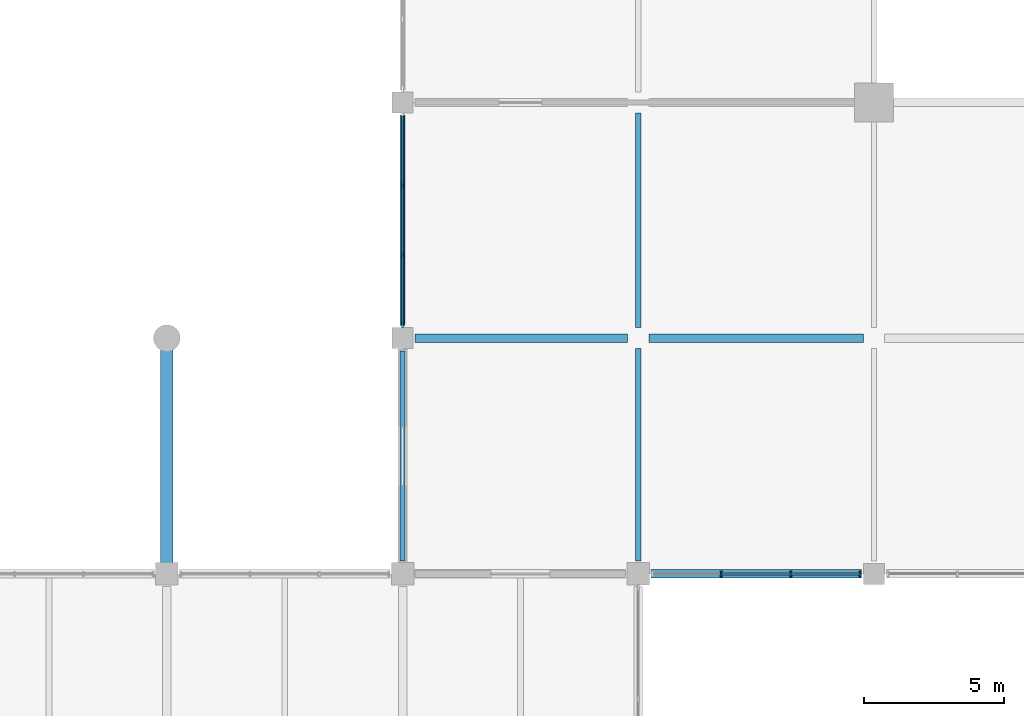
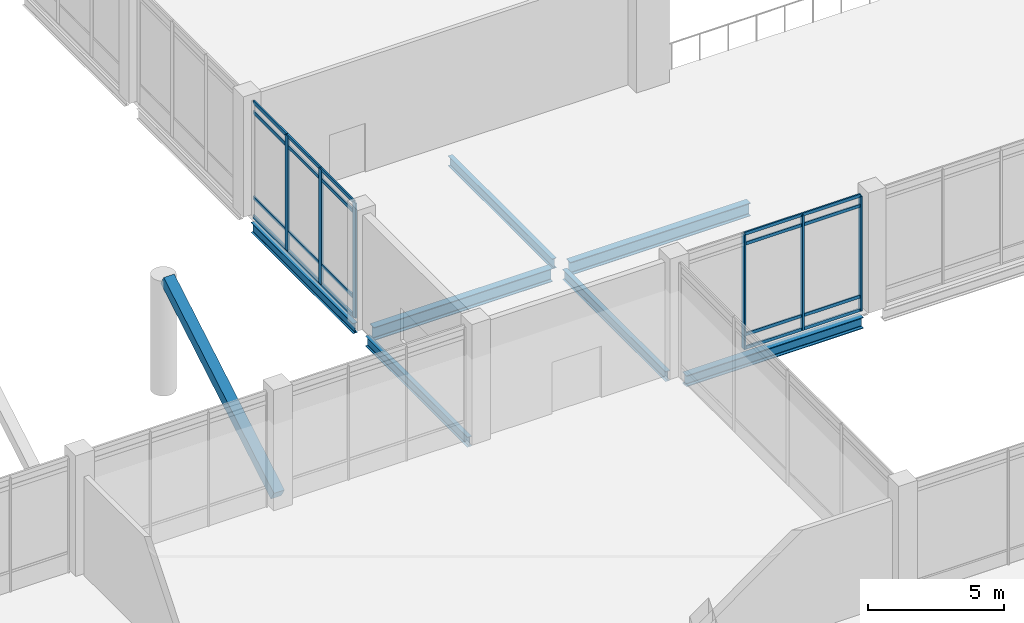
# One storey, part 24 of 72: 27 members, 7 beams, 2 elements without a shape of their own.
"""IFC4 building model written with IfcOpenShell, lengths in metres."""

from ifc_helpers import new_model, si_unit, direction, frame, origin, origin_2d, place, context, subcontext, project, spatial, rectangle, i_section, extrude, material, layer, layer_set, material_profile, profile_set, type_object, element, aggregate, save


model = new_model("IFC4")

# Units and contexts
model_context = context("Model", 3, precision=1e-05, world=origin(), true_north=direction((0.0, 1.0)))
body_context = subcontext(model_context, "Body", "Model", "MODEL_VIEW")
ifc_project = project(units=[si_unit("LENGTHUNIT", "METRE"), si_unit("AREAUNIT", "SQUARE_METRE"), si_unit("VOLUMEUNIT", "CUBIC_METRE"), si_unit("PLANEANGLEUNIT", "RADIAN"), si_unit("MASSUNIT", "GRAM", prefix="KILO")], contexts=[model_context])

# Site, building, storey
site_placement = place(None, origin())
site = spatial("IfcSite", under=ifc_project, at=site_placement, CompositionType="ELEMENT")
building_placement = place(site_placement, origin())
building = spatial("IfcBuilding", under=site, at=building_placement, Name="Qawsi Khor Wholesale Market", CompositionType="ELEMENT")
storey_placement = place(building_placement, frame((0.0, 0.0, 6.0)))
storey = spatial("IfcBuildingStorey", under=building, at=storey_placement, Name="L01", CompositionType="ELEMENT", Elevation=6.0)

# Curtain wall, members
ifc_material_1 = material(Name="Aluminium Anodised Bronze", Category="aluminium")
ifc_layer_1 = layer(ifc_material_1, 0.179931640625, Name="Aluminium Anodised Bronze")
ifc_layer_set_1 = layer_set([ifc_layer_1], Name="Aluminium Anodised Bronze")
curtain_wall_type_1 = type_object("IfcCurtainWallType", Name="Atrium Full-Height Curtain Wall CW-02", PredefinedType="NOTDEFINED", material=ifc_layer_set_1)
curtain_wall_1_placement = place(storey_placement, origin())
curtain_wall_1 = element("IfcCurtainWall", 1, at=curtain_wall_1_placement, inside=storey, type_object=curtain_wall_type_1, Name="Curtain wall CW-CW-02-L01-037", PredefinedType="NOTDEFINED")
ifc_material_profile_1 = material_profile(ifc_material_1, rectangle(XDim=0.070068359375, YDim=0.199951171875, at=origin_2d()), Name="ALU MULLION 70x200")
ifc_profile_set_1 = profile_set([ifc_material_profile_1], Name="Aluminium Anodised Bronze")
member_type_1 = type_object("IfcMemberType", Name="Curtain Wall Mullion CW-02 ALU MULLION 70x200", PredefinedType="MULLION", material=ifc_profile_set_1)
member_1_placement = place(storey_placement, frame((154.1650390625, 42.0, -0.02001953125), z_axis=(0.0, 0.0, 1.0), x_axis=(1.0, 0.0, 0.0)))
member_1 = element("IfcMember", 2, at=member_1_placement, type_object=member_type_1, Name="Mullion CW-CW-02-L01-037-M01", PredefinedType="MULLION", context=body_context, shape_type="SweptSolid", body=[
    extrude(rectangle(XDim=0.070068359375, YDim=0.199951171875, at=origin_2d()), origin(), (0.0, 0.0, 1.0), 5.14013671875),
])
member_2_placement = place(storey_placement, frame((156.635009765625, 42.0, -0.02001953125), z_axis=(0.0, 0.0, 1.0), x_axis=(1.0, 0.0, 0.0)))
member_2 = element("IfcMember", 3, at=member_2_placement, type_object=member_type_1, Name="Mullion CW-CW-02-L01-037-M02", PredefinedType="MULLION", context=body_context, shape_type="SweptSolid", body=[
    extrude(rectangle(XDim=0.070068359375, YDim=0.199951171875, at=origin_2d()), origin(), (0.0, 0.0, 1.0), 5.14013671875),
])
member_3_placement = place(storey_placement, frame((159.10498046875, 42.0, -0.02001953125), z_axis=(0.0, 0.0, 1.0), x_axis=(1.0, 0.0, 0.0)))
member_3 = element("IfcMember", 4, at=member_3_placement, type_object=member_type_1, Name="Mullion CW-CW-02-L01-037-M03", PredefinedType="MULLION", context=body_context, shape_type="SweptSolid", body=[
    extrude(rectangle(XDim=0.070068359375, YDim=0.199951171875, at=origin_2d()), origin(), (0.0, 0.0, 1.0), 5.14013671875),
])

ifc_layer_2 = layer(ifc_material_1, 0.199951171875, Name="Aluminium Anodised Bronze")
ifc_layer_set_2 = layer_set([ifc_layer_2], Name="Aluminium Anodised Bronze")
curtain_wall_type_2 = type_object("IfcCurtainWallType", Name="Trading Hall North-Light Curtain Wall CW-03", PredefinedType="NOTDEFINED", material=ifc_layer_set_2)
curtain_wall_2_placement = place(storey_placement, origin())
curtain_wall_2 = element("IfcCurtainWall", 5, at=curtain_wall_2_placement, inside=storey, type_object=curtain_wall_type_2, Name="Curtain wall CW-CW-03-L01-076", PredefinedType="NOTDEFINED")
ifc_material_profile_2 = material_profile(ifc_material_1, rectangle(XDim=0.074951171875, YDim=0.219970703125, at=origin_2d()), Name="ALU MULLION 75x220")
ifc_profile_set_2 = profile_set([ifc_material_profile_2], Name="Aluminium Anodised Bronze")
member_type_2 = type_object("IfcMemberType", Name="Curtain Wall Mullion CW-03 ALU MULLION 75x220", PredefinedType="MULLION", material=ifc_profile_set_2)
member_4_placement = place(storey_placement, frame((142.800048828125, 50.8974609375, -0.02001953125), z_axis=(0.0, 0.0, 1.0), x_axis=(1.0, 0.0, 0.0)))
member_4 = element("IfcMember", 6, at=member_4_placement, type_object=member_type_2, Name="Mullion CW-CW-03-L01-076-M00", PredefinedType="MULLION", context=body_context, shape_type="SweptSolid", body=[
    extrude(rectangle(XDim=0.074951171875, YDim=0.219970703125, at=origin_2d()), origin(), (0.0, 0.0, 1.0), 5.14990234375),
])
member_5_placement = place(storey_placement, frame((142.800048828125, 53.36572265625, -0.02001953125), z_axis=(0.0, 0.0, 1.0), x_axis=(1.0, 0.0, 0.0)))
member_5 = element("IfcMember", 7, at=member_5_placement, type_object=member_type_2, Name="Mullion CW-CW-03-L01-076-M01", PredefinedType="MULLION", context=body_context, shape_type="SweptSolid", body=[
    extrude(rectangle(XDim=0.074951171875, YDim=0.219970703125, at=origin_2d()), origin(), (0.0, 0.0, 1.0), 5.14990234375),
])
member_6_placement = place(storey_placement, frame((142.800048828125, 55.834228515625, -0.02001953125), z_axis=(0.0, 0.0, 1.0), x_axis=(1.0, 0.0, 0.0)))
member_6 = element("IfcMember", 8, at=member_6_placement, type_object=member_type_2, Name="Mullion CW-CW-03-L01-076-M02", PredefinedType="MULLION", context=body_context, shape_type="SweptSolid", body=[
    extrude(rectangle(XDim=0.074951171875, YDim=0.219970703125, at=origin_2d()), origin(), (0.0, 0.0, 1.0), 5.14990234375),
])

# Member
ifc_material_profile_3 = material_profile(ifc_material_1, rectangle(XDim=0.06494140625, YDim=0.139892578125, at=origin_2d()), Name="ALU TRANSOM 65x140")
ifc_profile_set_3 = profile_set([ifc_material_profile_3], Name="Aluminium Anodised Bronze")
member_type_3 = type_object("IfcMemberType", Name="Curtain Wall Transom CW-02 ALU TRANSOM 65x140", PredefinedType="USERDEFINED", material=ifc_profile_set_3)
member_7_placement = place(storey_placement, frame((154.1650390625, 42.0, 0.0), z_axis=(1.0, 0.0, 0.0), x_axis=(0.0, 1.0, 0.0)))
member_7 = element("IfcMember", 9, at=member_7_placement, type_object=member_type_3, Name="Transom CW-CW-02-L01-037-T0_01", ObjectType="TRANSOM", PredefinedType="USERDEFINED", context=body_context, shape_type="SweptSolid", body=[
    extrude(rectangle(XDim=0.06494140625, YDim=0.139892578125, at=origin_2d()), origin(), (0.0, 0.0, 1.0), 2.469970703125),
])

member_8_placement = place(storey_placement, frame((156.635009765625, 42.0, 0.0), z_axis=(1.0, 0.0, 0.0), x_axis=(0.0, 1.0, 0.0)))
member_8 = element("IfcMember", 10, at=member_8_placement, type_object=member_type_3, Name="Transom CW-CW-02-L01-037-T0_02", ObjectType="TRANSOM", PredefinedType="USERDEFINED", context=body_context, shape_type="SweptSolid", body=[
    extrude(rectangle(XDim=0.06494140625, YDim=0.139892578125, at=origin_2d()), origin(), (0.0, 0.0, 1.0), 2.469970703125),
])

member_9_placement = place(storey_placement, frame((154.1650390625, 42.0, 0.60009765625), z_axis=(1.0, 0.0, 0.0), x_axis=(0.0, 1.0, 0.0)))
member_9 = element("IfcMember", 11, at=member_9_placement, type_object=member_type_3, Name="Transom CW-CW-02-L01-037-T1_01", ObjectType="TRANSOM", PredefinedType="USERDEFINED", context=body_context, shape_type="SweptSolid", body=[
    extrude(rectangle(XDim=0.06494140625, YDim=0.139892578125, at=origin_2d()), origin(), (0.0, 0.0, 1.0), 2.469970703125),
])

member_10_placement = place(storey_placement, frame((156.635009765625, 42.0, 0.60009765625), z_axis=(1.0, 0.0, 0.0), x_axis=(0.0, 1.0, 0.0)))
member_10 = element("IfcMember", 12, at=member_10_placement, type_object=member_type_3, Name="Transom CW-CW-02-L01-037-T1_02", ObjectType="TRANSOM", PredefinedType="USERDEFINED", context=body_context, shape_type="SweptSolid", body=[
    extrude(rectangle(XDim=0.06494140625, YDim=0.139892578125, at=origin_2d()), origin(), (0.0, 0.0, 1.0), 2.469970703125),
])

member_11_placement = place(storey_placement, frame((154.1650390625, 42.0, 4.669921875), z_axis=(1.0, 0.0, 0.0), x_axis=(0.0, 1.0, 0.0)))
member_11 = element("IfcMember", 13, at=member_11_placement, type_object=member_type_3, Name="Transom CW-CW-02-L01-037-T2_01", ObjectType="TRANSOM", PredefinedType="USERDEFINED", context=body_context, shape_type="SweptSolid", body=[
    extrude(rectangle(XDim=0.06494140625, YDim=0.139892578125, at=origin_2d()), origin(), (0.0, 0.0, 1.0), 2.469970703125),
])

member_12_placement = place(storey_placement, frame((156.635009765625, 42.0, 4.669921875), z_axis=(1.0, 0.0, 0.0), x_axis=(0.0, 1.0, 0.0)))
member_12 = element("IfcMember", 14, at=member_12_placement, type_object=member_type_3, Name="Transom CW-CW-02-L01-037-T2_02", ObjectType="TRANSOM", PredefinedType="USERDEFINED", context=body_context, shape_type="SweptSolid", body=[
    extrude(rectangle(XDim=0.06494140625, YDim=0.139892578125, at=origin_2d()), origin(), (0.0, 0.0, 1.0), 2.469970703125),
])

member_13_placement = place(storey_placement, frame((154.1650390625, 42.0, 5.1201171875), z_axis=(1.0, 0.0, 0.0), x_axis=(0.0, 1.0, 0.0)))
member_13 = element("IfcMember", 15, at=member_13_placement, type_object=member_type_3, Name="Transom CW-CW-02-L01-037-T3_01", ObjectType="TRANSOM", PredefinedType="USERDEFINED", context=body_context, shape_type="SweptSolid", body=[
    extrude(rectangle(XDim=0.06494140625, YDim=0.139892578125, at=origin_2d()), origin(), (0.0, 0.0, 1.0), 2.469970703125),
])

member_14_placement = place(storey_placement, frame((156.635009765625, 42.0, 5.1201171875), z_axis=(1.0, 0.0, 0.0), x_axis=(0.0, 1.0, 0.0)))
member_14 = element("IfcMember", 16, at=member_14_placement, type_object=member_type_3, Name="Transom CW-CW-02-L01-037-T3_02", ObjectType="TRANSOM", PredefinedType="USERDEFINED", context=body_context, shape_type="SweptSolid", body=[
    extrude(rectangle(XDim=0.06494140625, YDim=0.139892578125, at=origin_2d()), origin(), (0.0, 0.0, 1.0), 2.469970703125),
])

aggregate(curtain_wall_1, [member_1, member_2, member_3, member_7, member_8, member_9, member_10, member_11, member_12, member_13, member_14])

ifc_material_profile_4 = material_profile(ifc_material_1, rectangle(XDim=0.070068359375, YDim=0.14990234375, at=origin_2d()), Name="ALU TRANSOM 70x150")
ifc_profile_set_4 = profile_set([ifc_material_profile_4], Name="Aluminium Anodised Bronze")
member_type_4 = type_object("IfcMemberType", Name="Curtain Wall Transom CW-03 ALU TRANSOM 70x150", PredefinedType="USERDEFINED", material=ifc_profile_set_4)
member_15_placement = place(storey_placement, frame((142.800048828125, 50.8974609375, 0.0), z_axis=(0.0, 1.0, 0.0), x_axis=(-1.0, 0.0, 0.0)))
member_15 = element("IfcMember", 17, at=member_15_placement, type_object=member_type_4, Name="Transom CW-CW-03-L01-076-T0_00", ObjectType="TRANSOM", PredefinedType="USERDEFINED", context=body_context, shape_type="SweptSolid", body=[
    extrude(rectangle(XDim=0.070068359375, YDim=0.14990234375, at=origin_2d()), origin(), (0.0, 0.0, 1.0), 2.46826171875),
])

member_16_placement = place(storey_placement, frame((142.800048828125, 53.36572265625, 0.0), z_axis=(0.0, 1.0, 0.0), x_axis=(-1.0, 0.0, 0.0)))
member_16 = element("IfcMember", 18, at=member_16_placement, type_object=member_type_4, Name="Transom CW-CW-03-L01-076-T0_01", ObjectType="TRANSOM", PredefinedType="USERDEFINED", context=body_context, shape_type="SweptSolid", body=[
    extrude(rectangle(XDim=0.070068359375, YDim=0.14990234375, at=origin_2d()), origin(), (0.0, 0.0, 1.0), 2.468505859375),
])

member_17_placement = place(storey_placement, frame((142.800048828125, 55.834228515625, 0.0), z_axis=(0.0, 1.0, 0.0), x_axis=(-1.0, 0.0, 0.0)))
member_17 = element("IfcMember", 19, at=member_17_placement, type_object=member_type_4, Name="Transom CW-CW-03-L01-076-T0_02", ObjectType="TRANSOM", PredefinedType="USERDEFINED", context=body_context, shape_type="SweptSolid", body=[
    extrude(rectangle(XDim=0.070068359375, YDim=0.14990234375, at=origin_2d()), origin(), (0.0, 0.0, 1.0), 2.46826171875),
])

member_18_placement = place(storey_placement, frame((142.800048828125, 50.8974609375, 0.85009765625), z_axis=(0.0, 1.0, 0.0), x_axis=(-1.0, 0.0, 0.0)))
member_18 = element("IfcMember", 20, at=member_18_placement, type_object=member_type_4, Name="Transom CW-CW-03-L01-076-T1_00", ObjectType="TRANSOM", PredefinedType="USERDEFINED", context=body_context, shape_type="SweptSolid", body=[
    extrude(rectangle(XDim=0.070068359375, YDim=0.14990234375, at=origin_2d()), origin(), (0.0, 0.0, 1.0), 2.46826171875),
])

member_19_placement = place(storey_placement, frame((142.800048828125, 53.36572265625, 0.85009765625), z_axis=(0.0, 1.0, 0.0), x_axis=(-1.0, 0.0, 0.0)))
member_19 = element("IfcMember", 21, at=member_19_placement, type_object=member_type_4, Name="Transom CW-CW-03-L01-076-T1_01", ObjectType="TRANSOM", PredefinedType="USERDEFINED", context=body_context, shape_type="SweptSolid", body=[
    extrude(rectangle(XDim=0.070068359375, YDim=0.14990234375, at=origin_2d()), origin(), (0.0, 0.0, 1.0), 2.468505859375),
])

member_20_placement = place(storey_placement, frame((142.800048828125, 55.834228515625, 0.85009765625), z_axis=(0.0, 1.0, 0.0), x_axis=(-1.0, 0.0, 0.0)))
member_20 = element("IfcMember", 22, at=member_20_placement, type_object=member_type_4, Name="Transom CW-CW-03-L01-076-T1_02", ObjectType="TRANSOM", PredefinedType="USERDEFINED", context=body_context, shape_type="SweptSolid", body=[
    extrude(rectangle(XDim=0.070068359375, YDim=0.14990234375, at=origin_2d()), origin(), (0.0, 0.0, 1.0), 2.46826171875),
])

member_21_placement = place(storey_placement, frame((142.800048828125, 50.8974609375, 4.679931640625), z_axis=(0.0, 1.0, 0.0), x_axis=(-1.0, 0.0, 0.0)))
member_21 = element("IfcMember", 23, at=member_21_placement, type_object=member_type_4, Name="Transom CW-CW-03-L01-076-T2_00", ObjectType="TRANSOM", PredefinedType="USERDEFINED", context=body_context, shape_type="SweptSolid", body=[
    extrude(rectangle(XDim=0.070068359375, YDim=0.14990234375, at=origin_2d()), origin(), (0.0, 0.0, 1.0), 2.46826171875),
])

member_22_placement = place(storey_placement, frame((142.800048828125, 53.36572265625, 4.679931640625), z_axis=(0.0, 1.0, 0.0), x_axis=(-1.0, 0.0, 0.0)))
member_22 = element("IfcMember", 24, at=member_22_placement, type_object=member_type_4, Name="Transom CW-CW-03-L01-076-T2_01", ObjectType="TRANSOM", PredefinedType="USERDEFINED", context=body_context, shape_type="SweptSolid", body=[
    extrude(rectangle(XDim=0.070068359375, YDim=0.14990234375, at=origin_2d()), origin(), (0.0, 0.0, 1.0), 2.468505859375),
])

member_23_placement = place(storey_placement, frame((142.800048828125, 55.834228515625, 4.679931640625), z_axis=(0.0, 1.0, 0.0), x_axis=(-1.0, 0.0, 0.0)))
member_23 = element("IfcMember", 25, at=member_23_placement, type_object=member_type_4, Name="Transom CW-CW-03-L01-076-T2_02", ObjectType="TRANSOM", PredefinedType="USERDEFINED", context=body_context, shape_type="SweptSolid", body=[
    extrude(rectangle(XDim=0.070068359375, YDim=0.14990234375, at=origin_2d()), origin(), (0.0, 0.0, 1.0), 2.46826171875),
])

member_24_placement = place(storey_placement, frame((142.800048828125, 50.8974609375, 5.1298828125), z_axis=(0.0, 1.0, 0.0), x_axis=(-1.0, 0.0, 0.0)))
member_24 = element("IfcMember", 26, at=member_24_placement, type_object=member_type_4, Name="Transom CW-CW-03-L01-076-T3_00", ObjectType="TRANSOM", PredefinedType="USERDEFINED", context=body_context, shape_type="SweptSolid", body=[
    extrude(rectangle(XDim=0.070068359375, YDim=0.14990234375, at=origin_2d()), origin(), (0.0, 0.0, 1.0), 2.46826171875),
])

member_25_placement = place(storey_placement, frame((142.800048828125, 53.36572265625, 5.1298828125), z_axis=(0.0, 1.0, 0.0), x_axis=(-1.0, 0.0, 0.0)))
member_25 = element("IfcMember", 27, at=member_25_placement, type_object=member_type_4, Name="Transom CW-CW-03-L01-076-T3_01", ObjectType="TRANSOM", PredefinedType="USERDEFINED", context=body_context, shape_type="SweptSolid", body=[
    extrude(rectangle(XDim=0.070068359375, YDim=0.14990234375, at=origin_2d()), origin(), (0.0, 0.0, 1.0), 2.468505859375),
])

member_26_placement = place(storey_placement, frame((142.800048828125, 55.834228515625, 5.1298828125), z_axis=(0.0, 1.0, 0.0), x_axis=(-1.0, 0.0, 0.0)))
member_26 = element("IfcMember", 28, at=member_26_placement, type_object=member_type_4, Name="Transom CW-CW-03-L01-076-T3_02", ObjectType="TRANSOM", PredefinedType="USERDEFINED", context=body_context, shape_type="SweptSolid", body=[
    extrude(rectangle(XDim=0.070068359375, YDim=0.14990234375, at=origin_2d()), origin(), (0.0, 0.0, 1.0), 2.46826171875),
])

aggregate(curtain_wall_2, [member_4, member_5, member_6, member_15, member_16, member_17, member_18, member_19, member_20, member_21, member_22, member_23, member_24, member_25, member_26])

# Beams
ifc_material_2 = material(Name="Steel S355", Category="steel")
ifc_material_profile_5 = material_profile(ifc_material_2, i_section(OverallWidth=0.300048828125, OverallDepth=0.5, WebThickness=0.014404296875, FlangeThickness=0.028076171875, FilletRadius=0.027099609375, at=origin_2d()), Name="HEB 500")
ifc_profile_set_5 = profile_set([ifc_material_profile_5], Name="Steel S355")
beam_type_1 = type_object("IfcBeamType", Name="Heavy Edge Girder HEB 500", PredefinedType="BEAM", material=ifc_profile_set_5)
beam_1_placement = place(storey_placement, frame((151.64990234375, 42.0, -0.530029296875), z_axis=(1.0, 0.0, 0.0), x_axis=(0.0, 1.0, 0.0)))
element("IfcBeam", 29, at=beam_1_placement, inside=storey, type_object=beam_type_1, Name="BM-X-L01-18_+05", PredefinedType="BEAM", context=body_context, shape_type="SweptSolid", body=[
    extrude(i_section(OverallWidth=0.300048828125, OverallDepth=0.5, WebThickness=0.014404296875, FlangeThickness=0.028076171875, FilletRadius=0.027099609375, at=origin_2d()), origin(), (0.0, 0.0, 1.0), 7.5),
])
ifc_material_profile_6 = material_profile(ifc_material_2, i_section(OverallWidth=0.300048828125, OverallDepth=0.590087890625, WebThickness=0.012939453125, FlangeThickness=0.02490234375, FilletRadius=0.027099609375, at=origin_2d()), Name="HEA 600")
ifc_profile_set_6 = profile_set([ifc_material_profile_6], Name="Steel S355")
beam_type_2 = type_object("IfcBeamType", Name="Primary Girder HEA 600", PredefinedType="BEAM", material=ifc_profile_set_6)
beam_2_placement = place(storey_placement, frame((143.25, 50.39990234375, -0.56494140625), z_axis=(1.0, 0.0, 0.0), x_axis=(0.0, 1.0, 0.0)))
element("IfcBeam", 30, at=beam_2_placement, inside=storey, type_object=beam_type_2, Name="BM-X-L01-17_+06", PredefinedType="BEAM", context=body_context, shape_type="SweptSolid", body=[
    extrude(i_section(OverallWidth=0.300048828125, OverallDepth=0.590087890625, WebThickness=0.012939453125, FlangeThickness=0.02490234375, FilletRadius=0.027099609375, at=origin_2d()), origin(), (0.0, 0.0, 1.0), 7.574951171875),
])
beam_3_placement = place(storey_placement, frame((151.574951171875, 50.39990234375, -0.56494140625), z_axis=(1.0, 0.0, 0.0), x_axis=(0.0, 1.0, 0.0)))
element("IfcBeam", 31, at=beam_3_placement, inside=storey, type_object=beam_type_2, Name="BM-X-L01-18_+06", PredefinedType="BEAM", context=body_context, shape_type="SweptSolid", body=[
    extrude(i_section(OverallWidth=0.300048828125, OverallDepth=0.590087890625, WebThickness=0.012939453125, FlangeThickness=0.02490234375, FilletRadius=0.027099609375, at=origin_2d()), origin(), (0.0, 0.0, 1.0), 7.650146484375),
])

# Member
ifc_material_3 = material(Name="Concrete C40/50", Category="concrete")
ifc_material_profile_7 = material_profile(ifc_material_3, rectangle(XDim=0.449951171875, YDim=0.449951171875, at=origin_2d()), Name="RC 450x450")
ifc_profile_set_7 = profile_set([ifc_material_profile_7], Name="Concrete C40/50")
member_type_5 = type_object("IfcMemberType", Name="Sculpted Concrete V-Strut RC 450x450", PredefinedType="STRUT", material=ifc_profile_set_7)
member_27_placement = place(storey_placement, frame((134.39990234375, 42.0, 0.35009765625), z_axis=(0.0, 0.861689753874, 0.50743548168), x_axis=(-1.0, 0.0, 0.0)))
element("IfcMember", 32, at=member_27_placement, inside=storey, type_object=member_type_5, Name="Court Balcony Raked Concrete Strut 16", PredefinedType="STRUT", context=body_context, shape_type="SweptSolid", body=[
    extrude(rectangle(XDim=0.449951171875, YDim=0.449951171875, at=origin_2d()), origin(), (0.0, 0.0, 1.0), 9.400146484375),
])

# Beams
ifc_material_profile_8 = material_profile(ifc_material_2, i_section(OverallWidth=0.18994140625, OverallDepth=0.449951171875, WebThickness=0.009521484375, FlangeThickness=0.0146484375, FilletRadius=0.02099609375, at=origin_2d()), Name="IPE 450")
ifc_profile_set_8 = profile_set([ifc_material_profile_8], Name="Steel S355")
beam_type_3 = type_object("IfcBeamType", Name="Secondary Beam IPE 450", PredefinedType="BEAM", material=ifc_profile_set_8)
for number, where, z_axis, x_axis, name in (
    (33, (142.800048828125, 42.449951171875, -0.4951171875), (0.0, 1.0, 0.0), (-1.0, 0.0, 0.0), "BM-Y-L01-17_+05"),
    (34, (142.800048828125, 50.85009765625, -0.4951171875), (0.0, 1.0, 0.0), (-1.0, 0.0, 0.0), "BM-Y-L01-17_+06"),
):
    element("IfcBeam", number, at=place(storey_placement, frame(where, z_axis=z_axis, x_axis=x_axis)), inside=storey, type_object=beam_type_3, Name=name, PredefinedType="BEAM", context=body_context, shape_type="SweptSolid", body=[
        extrude(i_section(OverallWidth=0.18994140625, OverallDepth=0.449951171875, WebThickness=0.009521484375, FlangeThickness=0.0146484375, FilletRadius=0.02099609375, at=origin_2d()), origin(), (0.0, 0.0, 1.0), 7.5),
    ])
beam_4_placement = place(storey_placement, frame((151.199951171875, 42.449951171875, -0.4951171875), z_axis=(0.0, 1.0, 0.0), x_axis=(-1.0, 0.0, 0.0)))
element("IfcBeam", 35, at=beam_4_placement, inside=storey, type_object=beam_type_3, Name="BM-Y-L01-18_+05", PredefinedType="BEAM", context=body_context, shape_type="SweptSolid", body=[
    extrude(i_section(OverallWidth=0.18994140625, OverallDepth=0.449951171875, WebThickness=0.009521484375, FlangeThickness=0.0146484375, FilletRadius=0.02099609375, at=origin_2d()), origin(), (0.0, 0.0, 1.0), 7.574951171875),
])
beam_5_placement = place(storey_placement, frame((151.199951171875, 50.77490234375, -0.4951171875), z_axis=(0.0, 1.0, 0.0), x_axis=(-1.0, 0.0, 0.0)))
element("IfcBeam", 36, at=beam_5_placement, inside=storey, type_object=beam_type_3, Name="BM-Y-L01-18_+06", PredefinedType="BEAM", context=body_context, shape_type="SweptSolid", body=[
    extrude(i_section(OverallWidth=0.18994140625, OverallDepth=0.449951171875, WebThickness=0.009521484375, FlangeThickness=0.0146484375, FilletRadius=0.02099609375, at=origin_2d()), origin(), (0.0, 0.0, 1.0), 7.650146484375),
])

save(model, "model.ifc")
